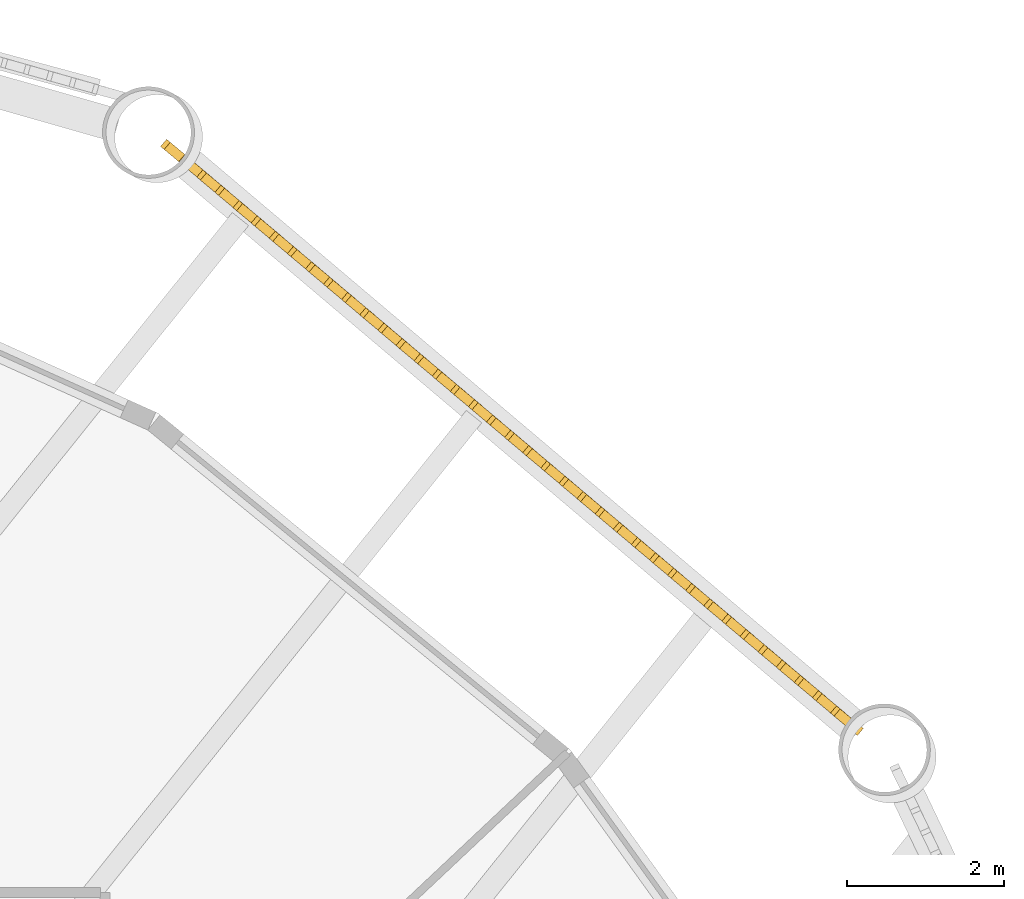
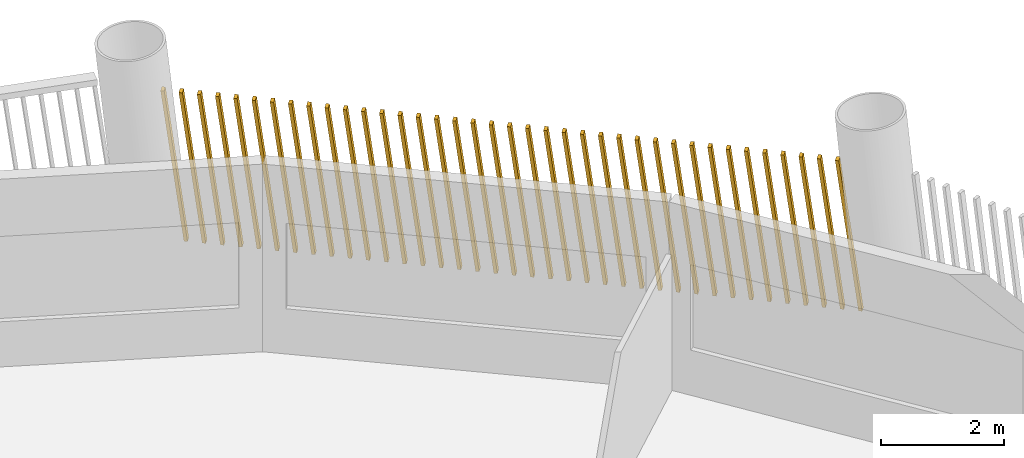
# One storey, part 15 of 16: 1 shading device.
"""IFC4 building model written with IfcOpenShell, lengths in metres."""

from ifc_helpers import new_model, si_unit, direction, frame, frame_2d, origin, place, context, subcontext, project, spatial, rectangle, composite_profile, extrude, material, type_object, element, save


model = new_model("IFC4")

# Units and contexts
model_context = context("Model", 3, precision=1e-05, world=origin(), true_north=direction((0.0, 1.0)))
body_context = subcontext(model_context, "Body", "Model", "MODEL_VIEW")
ifc_project = project(units=[si_unit("LENGTHUNIT", "METRE"), si_unit("AREAUNIT", "SQUARE_METRE"), si_unit("VOLUMEUNIT", "CUBIC_METRE"), si_unit("PLANEANGLEUNIT", "RADIAN"), si_unit("MASSUNIT", "GRAM", prefix="KILO")], contexts=[model_context])

# Site, building, storey
site_placement = place(None, origin())
site = spatial("IfcSite", under=ifc_project, at=site_placement, CompositionType="ELEMENT")
building_placement = place(site_placement, origin())
building = spatial("IfcBuilding", under=site, at=building_placement, Name="Tarsis Ring Headquarters", CompositionType="ELEMENT")
storey_placement = place(building_placement, frame((0.0, 0.0, 112.300048828125)))
storey = spatial("IfcBuildingStorey", under=building, at=storey_placement, Name="L25", CompositionType="ELEMENT", Elevation=112.300048828125)

# Shading device
ifc_material = material(Name="Terracotta baguette", Category="masonry")
shading_device_type = type_object("IfcShadingDeviceType", Name="Terracotta baguette screen", PredefinedType="USERDEFINED", material=ifc_material)
shading_device_placement = place(storey_placement, frame((22.63232421875, 18.047607421875, 0.0), z_axis=(0.0, 0.0, 1.0), x_axis=(-0.763499435715, 0.64580258703, 0.0)))
element("IfcShadingDevice", 1, at=shading_device_placement, inside=storey, type_object=shading_device_type, Name="Baguette screen L25-12", ObjectType="Terracotta baguette screen", PredefinedType="USERDEFINED", context=body_context, shape_type="SweptSolid", body=[
    extrude(composite_profile([rectangle(XDim=0.06005859375, YDim=0.1201171875, at=frame_2d((0.030029296875, 0.0))), rectangle(XDim=0.06005859375, YDim=0.1201171875, at=frame_2d((0.33251953125, 0.0))), rectangle(XDim=0.06005859375, YDim=0.1201171875, at=frame_2d((0.634765625, 0.0))), rectangle(XDim=0.06005859375, YDim=0.1201171875, at=frame_2d((0.937255859375, 0.0))), rectangle(XDim=0.06005859375, YDim=0.1201171875, at=frame_2d((1.239501953125, 0.0))), rectangle(XDim=0.06005859375, YDim=0.1201171875, at=frame_2d((1.5419921875, 0.0))), rectangle(XDim=0.06005859375, YDim=0.1201171875, at=frame_2d((1.844482421875, 0.0))), rectangle(XDim=0.06005859375, YDim=0.1201171875, at=frame_2d((2.146728515625, 0.0))), rectangle(XDim=0.06005859375, YDim=0.1201171875, at=frame_2d((2.44921875, 0.0))), rectangle(XDim=0.06005859375, YDim=0.1201171875, at=frame_2d((2.751708984375, 0.0))), rectangle(XDim=0.06005859375, YDim=0.1201171875, at=frame_2d((3.053955078125, 0.0))), rectangle(XDim=0.06005859375, YDim=0.1201171875, at=frame_2d((3.3564453125, 0.0))), rectangle(XDim=0.06005859375, YDim=0.1201171875, at=frame_2d((3.65869140625, 0.0))), rectangle(XDim=0.06005859375, YDim=0.1201171875, at=frame_2d((3.961181640625, 0.0))), rectangle(XDim=0.06005859375, YDim=0.1201171875, at=frame_2d((4.263671875, 0.0))), rectangle(XDim=0.06005859375, YDim=0.1201171875, at=frame_2d((4.56591796875, 0.0))), rectangle(XDim=0.06005859375, YDim=0.1201171875, at=frame_2d((4.868408203125, 0.0))), rectangle(XDim=0.06005859375, YDim=0.1201171875, at=frame_2d((5.1708984375, 0.0))), rectangle(XDim=0.06005859375, YDim=0.1201171875, at=frame_2d((5.47314453125, 0.0))), rectangle(XDim=0.06005859375, YDim=0.1201171875, at=frame_2d((5.775634765625, 0.0))), rectangle(XDim=0.06005859375, YDim=0.1201171875, at=frame_2d((6.077880859375, 0.0))), rectangle(XDim=0.06005859375, YDim=0.1201171875, at=frame_2d((6.38037109375, 0.0))), rectangle(XDim=0.06005859375, YDim=0.1201171875, at=frame_2d((6.682861328125, 0.0))), rectangle(XDim=0.06005859375, YDim=0.1201171875, at=frame_2d((6.985107421875, 0.0))), rectangle(XDim=0.06005859375, YDim=0.1201171875, at=frame_2d((7.28759765625, 0.0))), rectangle(XDim=0.06005859375, YDim=0.1201171875, at=frame_2d((7.590087890625, 0.0))), rectangle(XDim=0.06005859375, YDim=0.1201171875, at=frame_2d((7.892333984375, 0.0))), rectangle(XDim=0.06005859375, YDim=0.1201171875, at=frame_2d((8.19482421875, 0.0))), rectangle(XDim=0.06005859375, YDim=0.1201171875, at=frame_2d((8.4970703125, 0.0))), rectangle(XDim=0.06005859375, YDim=0.1201171875, at=frame_2d((8.799560546875, 0.0))), rectangle(XDim=0.06005859375, YDim=0.1201171875, at=frame_2d((9.10205078125, 0.0))), rectangle(XDim=0.06005859375, YDim=0.1201171875, at=frame_2d((9.404296875, 0.0))), rectangle(XDim=0.06005859375, YDim=0.1201171875, at=frame_2d((9.706787109375, 0.0))), rectangle(XDim=0.06005859375, YDim=0.1201171875, at=frame_2d((10.00927734375, 0.0))), rectangle(XDim=0.06005859375, YDim=0.1201171875, at=frame_2d((10.3115234375, 0.0))), rectangle(XDim=0.06005859375, YDim=0.1201171875, at=frame_2d((10.614013671875, 0.0))), rectangle(XDim=0.06005859375, YDim=0.1201171875, at=frame_2d((10.916259765625, 0.0))), rectangle(XDim=0.06005859375, YDim=0.1201171875, at=frame_2d((11.21875, 0.0)))]), origin(), (0.129809740934, 0.000882770874, 0.99153852768), 2.977783203125),
])

save(model, "model.ifc")
